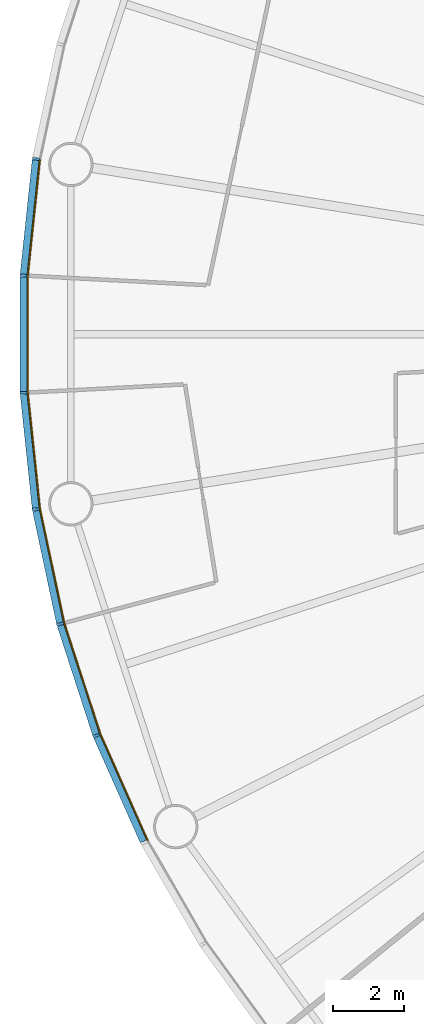
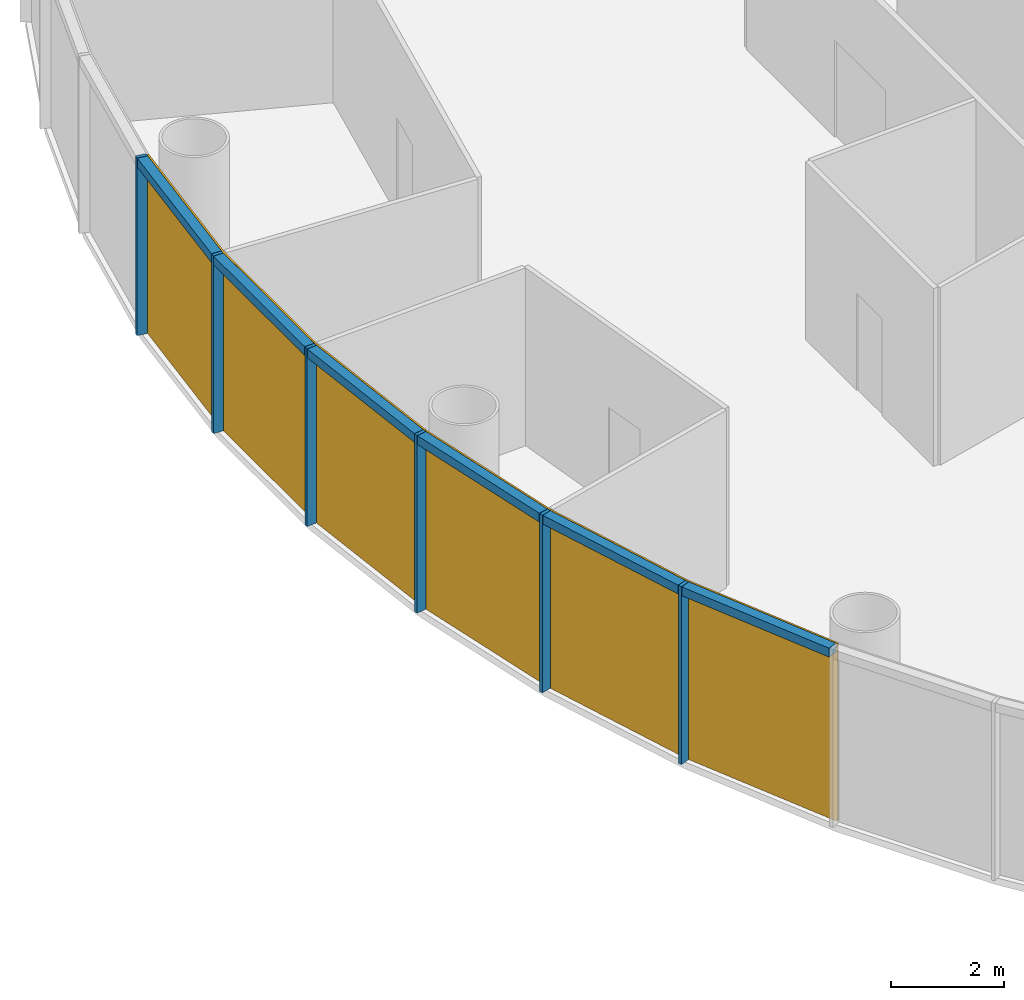
# One storey, part 8 of 13: 12 members, 2 curtain walls.
"""IFC4 building model written with IfcOpenShell, lengths in metres."""

import ifcopenshell
import ifcopenshell.guid

model = None  # the IFC model being written
_history = None  # IfcOwnerHistory: only IFC2X3 demands one
_inside = {}  # id of a spatial element -> (the spatial element, [elements in it])
_under = {}  # id of a project, library or spatial element -> (it, [spatial elements below it])
_declared = {}  # id of a project -> (the project, [libraries it declares])
_typed = {}  # id of a type object -> (the type object, [elements of that type])
_made_of = {}  # id of a material, layer set ... -> (it, [elements and type objects made of it])


def new_model(schema):
    """Start an empty IFC model of exactly this schema.

    Asked for "IFC4X3", IfcOpenShell would pick the latest addendum, in which some entities
    have other attributes; the version numbers below select the first issue.
    IFC2X3 requires an IfcOwnerHistory on every rooted entity: one is made here for all.
    """
    global model, _history
    if schema == "IFC4X3":
        model = ifcopenshell.file(schema_version=(4, 3, 0, 0))
    else:
        model = ifcopenshell.file(schema=schema)
    _inside.clear()
    _under.clear()
    _declared.clear()
    _typed.clear()
    _made_of.clear()
    _history = None
    if model.schema == "IFC2X3":
        org = make("IfcOrganization", Name="unknown")
        user = make(
            "IfcPersonAndOrganization",
            ThePerson=make("IfcPerson", FamilyName="unknown"),
            TheOrganization=org,
        )
        app = make(
            "IfcApplication",
            ApplicationDeveloper=org,
            Version="unknown",
            ApplicationFullName="unknown",
            ApplicationIdentifier="unknown",
        )
        _history = make(
            "IfcOwnerHistory",
            OwningUser=user,
            OwningApplication=app,
            ChangeAction="ADDED",
            CreationDate=0,
        )
    return model


def make(cls, **values):
    """One entity of the class cls with the attributes given. An attribute that is None is left unset."""
    return model.create_entity(
        cls, **{name: value for name, value in values.items() if value is not None}
    )


def rooted(cls, **values):
    """An entity with a GlobalId (a new one), such as an element, a storey or a relation."""
    return make(cls, GlobalId=ifcopenshell.guid.new(), OwnerHistory=_history, **values)


def si_unit(unit_type, name, prefix=None):
    """IfcSIUnit, for example si_unit("LENGTHUNIT", "METRE", prefix="MILLI")."""
    return make("IfcSIUnit", UnitType=unit_type, Prefix=prefix, Name=name)


def assignment(units):
    """IfcUnitAssignment: the units of a project."""
    return None if units is None else make("IfcUnitAssignment", Units=units)


def point(xyz):
    """IfcCartesianPoint."""
    return None if xyz is None else make("IfcCartesianPoint", Coordinates=xyz)


def direction(xyz):
    """IfcDirection."""
    return None if xyz is None else make("IfcDirection", DirectionRatios=xyz)


def frame(location, z_axis=None, x_axis=None):
    """IfcAxis2Placement3D, a coordinate frame: its origin and axes. An axis left out is left unset."""
    return make(
        "IfcAxis2Placement3D",
        Location=point(location),
        Axis=direction(z_axis),
        RefDirection=direction(x_axis),
    )


def frame_2d(location, x_axis=None):
    """IfcAxis2Placement2D, a coordinate frame in the plane: its origin and x axis."""
    return make(
        "IfcAxis2Placement2D", Location=point(location), RefDirection=direction(x_axis)
    )


def origin():
    """The frame at (0, 0, 0) with its axes left unset."""
    return frame((0.0, 0.0, 0.0))


def origin_2d():
    """The frame at (0, 0) in the plane with its x axis left unset."""
    return frame_2d((0.0, 0.0))


def place(relative_to, where):
    """IfcLocalPlacement: puts the frame where relative to a parent placement (None: the world)."""
    return make(
        "IfcLocalPlacement", PlacementRelTo=relative_to, RelativePlacement=where
    )


def context(
    kind, dimensions, precision=None, world=None, true_north=None, identifier=None
):
    """IfcGeometricRepresentationContext, for example the 3D "Model" context."""
    return make(
        "IfcGeometricRepresentationContext",
        ContextIdentifier=identifier,
        ContextType=kind,
        CoordinateSpaceDimension=dimensions,
        Precision=precision,
        WorldCoordinateSystem=world,
        TrueNorth=true_north,
    )


def subcontext(parent, identifier, kind, view, scale=None):
    """IfcGeometricRepresentationSubContext, for example "Body" below "Model"."""
    return make(
        "IfcGeometricRepresentationSubContext",
        ContextIdentifier=identifier,
        ContextType=kind,
        ParentContext=parent,
        TargetScale=scale,
        TargetView=view,
    )


def project(units=None, contexts=None):
    """IfcProject with its units and contexts."""
    return rooted(
        "IfcProject",
        Name="project",
        RepresentationContexts=contexts,
        UnitsInContext=assignment(units),
    )


def spatial(cls, under=None, at=None, **own):
    """A site, building, storey or space (cls), placed at a placement, below another one or the project."""
    s = rooted(cls, ObjectPlacement=at, **own)
    if under is not None:
        _under.setdefault(under.id(), (under, []))[1].append(s)
    return s


def polyline(points):
    """IfcPolyline through the points."""
    return make("IfcPolyline", Points=[point(p) for p in points])


def profile(cls, at=None, kind="AREA", **sizes):
    """A parametric profile (cls). Its sizes go by their IFC names, for example OverallWidth=200.0."""
    return make(cls, ProfileType=kind, Position=at, **sizes)


def rectangle(**sizes):
    """IfcRectangleProfileDef."""
    return profile("IfcRectangleProfileDef", **sizes)


def outline(outer, holes=None, kind="AREA"):
    """IfcArbitraryClosedProfileDef: a profile drawn as a closed curve; with holes, ...WithVoids."""
    if holes is None:
        return make("IfcArbitraryClosedProfileDef", ProfileType=kind, OuterCurve=outer)
    return make(
        "IfcArbitraryProfileDefWithVoids",
        ProfileType=kind,
        OuterCurve=outer,
        InnerCurves=holes,
    )


def extrude(swept, where, along, depth):
    """IfcExtrudedAreaSolid: the profile swept, set in the frame where, extruded along a direction by depth."""
    return make(
        "IfcExtrudedAreaSolid",
        SweptArea=swept,
        Position=where,
        ExtrudedDirection=direction(along),
        Depth=depth,
    )


def shape(context_of_items, identifier, shape_type, items):
    """IfcShapeRepresentation: the items that make up one representation, for example the "Body"."""
    return make(
        "IfcShapeRepresentation",
        ContextOfItems=context_of_items,
        RepresentationIdentifier=identifier,
        RepresentationType=shape_type,
        Items=items,
    )


def material(Name=None, Category=None):
    """IfcMaterial."""
    return make("IfcMaterial", Name=Name, Category=Category)


def layer(
    of_material, thickness, ventilated=None, Name=None, Category=None, Priority=None
):
    """IfcMaterialLayer: one layer of a wall or slab, of a material (None: an air gap)."""
    return make(
        "IfcMaterialLayer",
        Material=of_material,
        LayerThickness=thickness,
        IsVentilated=ventilated,
        Name=Name,
        Category=Category,
        Priority=Priority,
    )


def layer_set(layers, Name=None):
    """IfcMaterialLayerSet."""
    return make("IfcMaterialLayerSet", MaterialLayers=layers, LayerSetName=Name)


def material_profile(
    of_material, cross_section, Name=None, Category=None, Priority=None
):
    """IfcMaterialProfile: a cross section and its material."""
    return make(
        "IfcMaterialProfile",
        Name=Name,
        Material=of_material,
        Profile=cross_section,
        Priority=Priority,
        Category=Category,
    )


def profile_set(profiles, Name=None, composite=None):
    """IfcMaterialProfileSet."""
    return make(
        "IfcMaterialProfileSet",
        Name=Name,
        MaterialProfiles=profiles,
        CompositeProfile=composite,
    )


def made_of(thing, what):
    """Note that an element or type object is made of a material, layer set ...; save() writes the relation."""
    if what is not None:
        _made_of.setdefault(what.id(), (what, []))[1].append(thing)
    return thing


def type_object(cls, material=None, **own):
    """A type object (cls), such as IfcWallType, which elements share."""
    return made_of(rooted(cls, **own), material)


def element(
    cls,
    number,
    at=None,
    inside=None,
    cuts=None,
    type_object=None,
    material=None,
    context=None,
    identifier="Body",
    shape_type=None,
    held_by="IfcProductDefinitionShape",
    body=None,
    shapes=None,
    **own,
):
    """One element of the class cls, such as IfcWall. Its Tag is "e" and its number.

    at: its placement. inside: the storey or other place that contains it. cuts: it is an
    opening in that element (IfcRelVoidsElement). A single representation is given by context,
    identifier, shape_type and body (its items); several are given by shapes. held_by: the class
    of the entity that holds the representations. save() writes the other relations.
    """
    e = rooted(cls, Tag="e%d" % number, ObjectPlacement=at, **own)
    if body is not None:
        shapes = [shape(context, identifier, shape_type, body)]
    if shapes is not None:
        e.Representation = make(held_by, Representations=shapes)
    if inside is not None:
        _inside.setdefault(inside.id(), (inside, []))[1].append(e)
    if cuts is not None:
        rooted(
            "IfcRelVoidsElement", RelatingBuildingElement=cuts, RelatedOpeningElement=e
        )
    if type_object is not None:
        _typed.setdefault(type_object.id(), (type_object, []))[1].append(e)
    return made_of(e, material)


def aggregate(whole, parts):
    """IfcRelAggregates: a whole, such as a stair, and the parts it consists of."""
    return rooted("IfcRelAggregates", RelatingObject=whole, RelatedObjects=parts)


def save(model, path):
    """Write the relations noted so far, then the file.

    IfcRelAggregates (storeys below a building ...), IfcRelContainedInSpatialStructure (elements
    in a storey), IfcRelDefinesByType, IfcRelAssociatesMaterial and IfcRelDeclares: one each for
    every whole, place, type object, material and project.
    """
    for whole, parts in _under.values():
        aggregate(whole, parts)
    for where, things in _inside.values():
        rooted(
            "IfcRelContainedInSpatialStructure",
            RelatedElements=things,
            RelatingStructure=where,
        )
    for kind, things in _typed.values():
        rooted("IfcRelDefinesByType", RelatedObjects=things, RelatingType=kind)
    for what, things in _made_of.values():
        rooted("IfcRelAssociatesMaterial", RelatedObjects=things, RelatingMaterial=what)
    for by, libraries in _declared.values():
        rooted("IfcRelDeclares", RelatingContext=by, RelatedDefinitions=libraries)
    model.write(path)


model = new_model("IFC4")

# Units and contexts
model_context = context("Model", 3, precision=1e-05, world=origin(), true_north=direction((0.0, 1.0)))
body_context = subcontext(model_context, "Body", "Model", "MODEL_VIEW")
ifc_project = project(units=[si_unit("LENGTHUNIT", "METRE"), si_unit("AREAUNIT", "SQUARE_METRE"), si_unit("VOLUMEUNIT", "CUBIC_METRE"), si_unit("PLANEANGLEUNIT", "RADIAN"), si_unit("MASSUNIT", "GRAM", prefix="KILO")], contexts=[model_context])

# Member
ifc_material_1 = material(Name="Anodised aluminium", Category="aluminium")
ifc_material_profile_1 = material_profile(ifc_material_1, rectangle(XDim=0.070068359375, YDim=0.199951171875, at=origin_2d()), Name="Mullion 70 x 200 mm anodised aluminium")
ifc_profile_set_1 = profile_set([ifc_material_profile_1], Name="Anodised aluminium")
member_type_1 = type_object("IfcMemberType", Name="Mullion 70 x 200 mm anodised aluminium", PredefinedType="MULLION", material=ifc_profile_set_1)
site_placement = place(None, origin())
building_placement = place(site_placement, origin())
storey_placement = place(building_placement, frame((0.0, 0.0, 100.0)))
member_1_placement = place(storey_placement, frame((58.7890625, 84.943359375, 0.0), z_axis=(0.0, 0.0, 1.0), x_axis=(-0.15643446504, -0.987688340595, 0.0)))
member_1 = element("IfcMember", 1, at=member_1_placement, type_object=member_type_1, Name="MULLION L22-27", PredefinedType="MULLION", context=body_context, shape_type="SweptSolid", body=[
    extrude(rectangle(XDim=0.070068359375, YDim=0.199951171875, at=origin_2d()), origin(), (0.0, 0.0, 1.0), 3.85009765625),
])

member_2_placement = place(storey_placement, frame((58.443359375, 81.65380859375, 0.0), z_axis=(0.0, 0.0, 1.0), x_axis=(-0.052335956243, -0.998629534755, 0.0)))
member_2 = element("IfcMember", 2, at=member_2_placement, type_object=member_type_1, Name="MULLION L22-28", PredefinedType="MULLION", context=body_context, shape_type="SweptSolid", body=[
    extrude(rectangle(XDim=0.070068359375, YDim=0.199951171875, at=origin_2d()), origin(), (0.0, 0.0, 1.0), 3.85009765625),
])

member_3_placement = place(storey_placement, frame((58.443359375, 78.34619140625, 0.0), z_axis=(0.0, 0.0, 1.0), x_axis=(0.052335956243, -0.998629534755, 0.0)))
member_3 = element("IfcMember", 3, at=member_3_placement, type_object=member_type_1, Name="MULLION L22-29", PredefinedType="MULLION", context=body_context, shape_type="SweptSolid", body=[
    extrude(rectangle(XDim=0.070068359375, YDim=0.199951171875, at=origin_2d()), origin(), (0.0, 0.0, 1.0), 3.85009765625),
])

member_4_placement = place(storey_placement, frame((58.7890625, 75.056640625, 0.0), z_axis=(0.0, 0.0, 1.0), x_axis=(0.15643446504, -0.987688340595, 0.0)))
member_4 = element("IfcMember", 4, at=member_4_placement, type_object=member_type_1, Name="MULLION L22-30", PredefinedType="MULLION", context=body_context, shape_type="SweptSolid", body=[
    extrude(rectangle(XDim=0.070068359375, YDim=0.199951171875, at=origin_2d()), origin(), (0.0, 0.0, 1.0), 3.85009765625),
])

member_5_placement = place(storey_placement, frame((59.476806640625, 71.8212890625, 0.0), z_axis=(0.0, 0.0, 1.0), x_axis=(0.258819045103, -0.965925826289, 0.0)))
member_5 = element("IfcMember", 5, at=member_5_placement, type_object=member_type_1, Name="MULLION L22-31", PredefinedType="MULLION", context=body_context, shape_type="SweptSolid", body=[
    extrude(rectangle(XDim=0.070068359375, YDim=0.199951171875, at=origin_2d()), origin(), (0.0, 0.0, 1.0), 3.85009765625),
])

member_6_placement = place(storey_placement, frame((60.498779296875, 68.675537109375, 0.0), z_axis=(0.0, 0.0, 1.0), x_axis=(0.358367949545, -0.933580426497, 0.0)))
member_6 = element("IfcMember", 6, at=member_6_placement, type_object=member_type_1, Name="MULLION L22-32", PredefinedType="MULLION", context=body_context, shape_type="SweptSolid", body=[
    extrude(rectangle(XDim=0.070068359375, YDim=0.199951171875, at=origin_2d()), origin(), (0.0, 0.0, 1.0), 3.85009765625),
])

ifc_material_2 = material(Name="Anodised aluminium", Category="aluminium")
ifc_material_profile_2 = material_profile(ifc_material_2, rectangle(XDim=0.199951171875, YDim=0.18994140625, at=origin_2d()), Name="Transom 190 x 200 mm anodised aluminium")
ifc_profile_set_2 = profile_set([ifc_material_profile_2], Name="Anodised aluminium")
member_type_2 = type_object("IfcMemberType", Name="Transom 190 x 200 mm anodised aluminium", PredefinedType="USERDEFINED", material=ifc_profile_set_2)
member_7_placement = place(storey_placement, frame((58.78466796875, 84.9033203125, 3.7548828125), z_axis=(-0.104550890115, -0.994519537956, 0.0), x_axis=(0.994519537956, -0.104550890115, 0.0)))
member_7 = element("IfcMember", 7, at=member_7_placement, type_object=member_type_2, Name="TRANSOM L22-27", ObjectType="TRANSOM", PredefinedType="USERDEFINED", context=body_context, shape_type="SweptSolid", body=[
    extrude(rectangle(XDim=0.199951171875, YDim=0.18994140625, at=origin_2d()), origin(), (0.0, 0.0, 1.0), 3.22705078125),
])

member_8_placement = place(storey_placement, frame((58.443115234375, 81.613525390625, 3.7548828125), z_axis=(0.0, -1.0, 0.0), x_axis=(1.0, 0.0, 0.0)))
member_8 = element("IfcMember", 8, at=member_8_placement, type_object=member_type_2, Name="TRANSOM L22-28", ObjectType="TRANSOM", PredefinedType="USERDEFINED", context=body_context, shape_type="SweptSolid", body=[
    extrude(rectangle(XDim=0.199951171875, YDim=0.18994140625, at=origin_2d()), origin(), (0.0, 0.0, 1.0), 3.22705078125),
])

member_9_placement = place(storey_placement, frame((58.447265625, 78.30615234375, 3.7548828125), z_axis=(0.104550890115, -0.994519537956, 0.0), x_axis=(0.994519537956, 0.104550890115, 0.0)))
member_9 = element("IfcMember", 9, at=member_9_placement, type_object=member_type_2, Name="TRANSOM L22-29", ObjectType="TRANSOM", PredefinedType="USERDEFINED", context=body_context, shape_type="SweptSolid", body=[
    extrude(rectangle(XDim=0.199951171875, YDim=0.18994140625, at=origin_2d()), origin(), (0.0, 0.0, 1.0), 3.22705078125),
])

member_10_placement = place(storey_placement, frame((58.79736328125, 75.017333984375, 3.7548828125), z_axis=(0.207885898771, -0.978153082647, 0.0), x_axis=(0.978153082647, 0.207885898771, 0.0)))
member_10 = element("IfcMember", 10, at=member_10_placement, type_object=member_type_2, Name="TRANSOM L22-30", ObjectType="TRANSOM", PredefinedType="USERDEFINED", context=body_context, shape_type="SweptSolid", body=[
    extrude(rectangle(XDim=0.199951171875, YDim=0.18994140625, at=origin_2d()), origin(), (0.0, 0.0, 1.0), 3.227294921875),
])

member_11_placement = place(storey_placement, frame((59.489013671875, 71.782958984375, 3.7548828125), z_axis=(0.309046726844, -0.951046855117, 0.0), x_axis=(0.951046855117, 0.309046726844, 0.0)))
member_11 = element("IfcMember", 11, at=member_11_placement, type_object=member_type_2, Name="TRANSOM L22-31", ObjectType="TRANSOM", PredefinedType="USERDEFINED", context=body_context, shape_type="SweptSolid", body=[
    extrude(rectangle(XDim=0.199951171875, YDim=0.18994140625, at=origin_2d()), origin(), (0.0, 0.0, 1.0), 3.22705078125),
])

member_12_placement = place(storey_placement, frame((60.51513671875, 68.638671875, 3.7548828125), z_axis=(0.406728032322, -0.913549291349, 0.0), x_axis=(0.913549291349, 0.406728032322, 0.0)))
member_12 = element("IfcMember", 12, at=member_12_placement, type_object=member_type_2, Name="TRANSOM L22-32", ObjectType="TRANSOM", PredefinedType="USERDEFINED", context=body_context, shape_type="SweptSolid", body=[
    extrude(rectangle(XDim=0.199951171875, YDim=0.18994140625, at=origin_2d()), origin(), (0.0, 0.0, 1.0), 3.22705078125),
])

# Site, building, storey
site = spatial("IfcSite", under=ifc_project, at=site_placement, CompositionType="ELEMENT")
building = spatial("IfcBuilding", under=site, at=building_placement, Name="Entoto Ring Tower", CompositionType="ELEMENT")
storey = spatial("IfcBuildingStorey", under=building, at=storey_placement, Name="L22", CompositionType="ELEMENT", Elevation=100.0)

# Curtain wall
ifc_material_3 = material(Name="Clear low-iron glass", Category="glass")
ifc_layer = layer(ifc_material_3, 0.035888671875)
ifc_layer_set = layer_set([ifc_layer], Name="Clear low-iron glass")
curtain_wall_type = type_object("IfcCurtainWallType", Name="Curtain wall system CW2 glazing 36 mm", PredefinedType="NOTDEFINED", material=ifc_layer_set)
curtain_wall_1_placement = place(storey_placement, origin())
curtain_wall_1 = element("IfcCurtainWall", 13, at=curtain_wall_1_placement, inside=storey, type_object=curtain_wall_type, Name="CW2 L22-10", PredefinedType="NOTDEFINED", context=body_context, shape_type="SweptSolid", body=[
    extrude(outline(polyline([(58.8876953125, 84.927734375), (58.543212890625, 81.648681640625), (58.543212890625, 78.351318359375), (58.8876953125, 75.072265625), (58.92333984375, 75.077880859375), (58.5791015625, 78.353271484375), (58.5791015625, 81.646728515625), (58.92333984375, 84.922119140625), (58.8876953125, 84.927734375)])), origin(), (0.0, 0.0, 1.0), 3.85009765625),
])

aggregate(curtain_wall_1, [member_1, member_2, member_3, member_7, member_8, member_9])

curtain_wall_2_placement = place(storey_placement, origin())
curtain_wall_2 = element("IfcCurtainWall", 14, at=curtain_wall_2_placement, inside=storey, type_object=curtain_wall_type, Name="CW2 L22-11", PredefinedType="NOTDEFINED", context=body_context, shape_type="SweptSolid", body=[
    extrude(outline(polyline([(58.8876953125, 75.072265625), (59.5732421875, 71.84716796875), (60.59228515625, 68.71142578125), (61.933349609375, 65.69921875), (61.96533203125, 65.715576171875), (60.6259765625, 68.724365234375), (59.608154296875, 71.8564453125), (58.92333984375, 75.077880859375), (58.8876953125, 75.072265625)])), origin(), (0.0, 0.0, 1.0), 3.85009765625),
])

aggregate(curtain_wall_2, [member_4, member_5, member_6, member_10, member_11, member_12])

save(model, "model.ifc")
